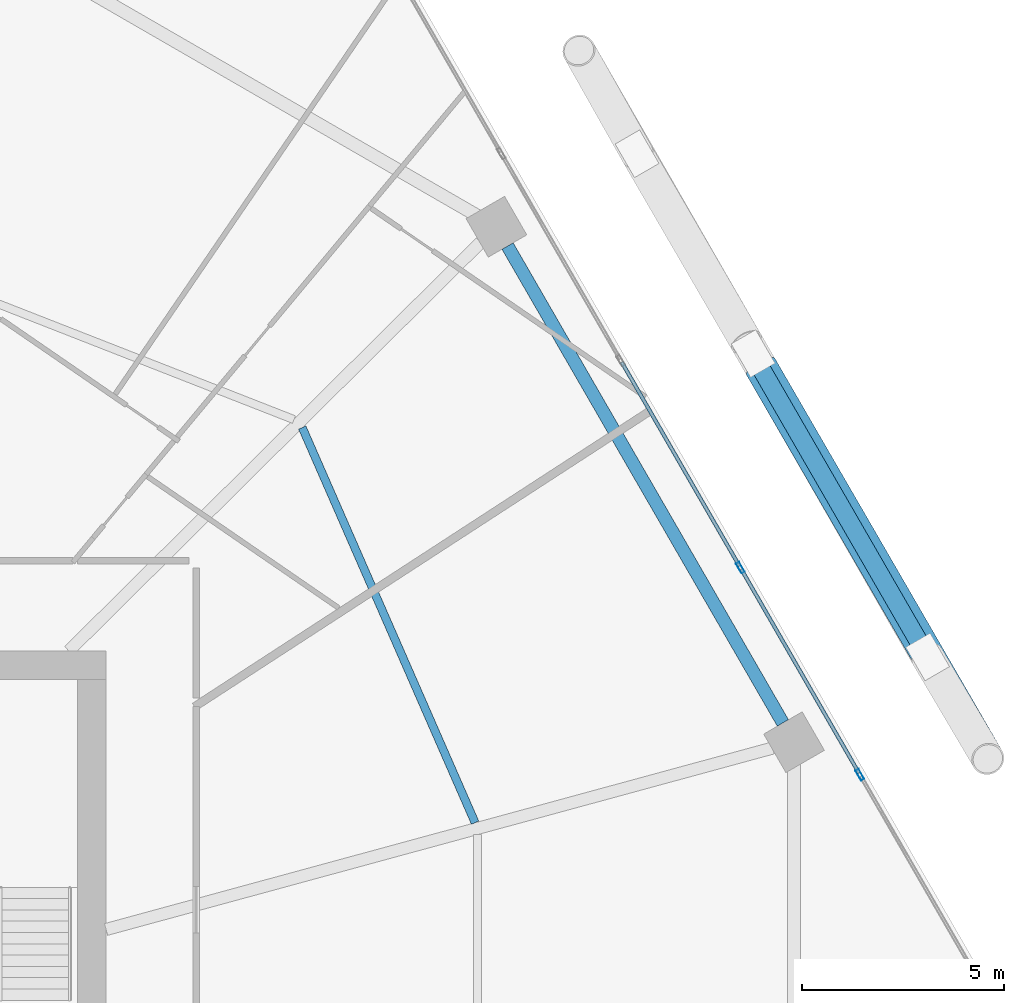
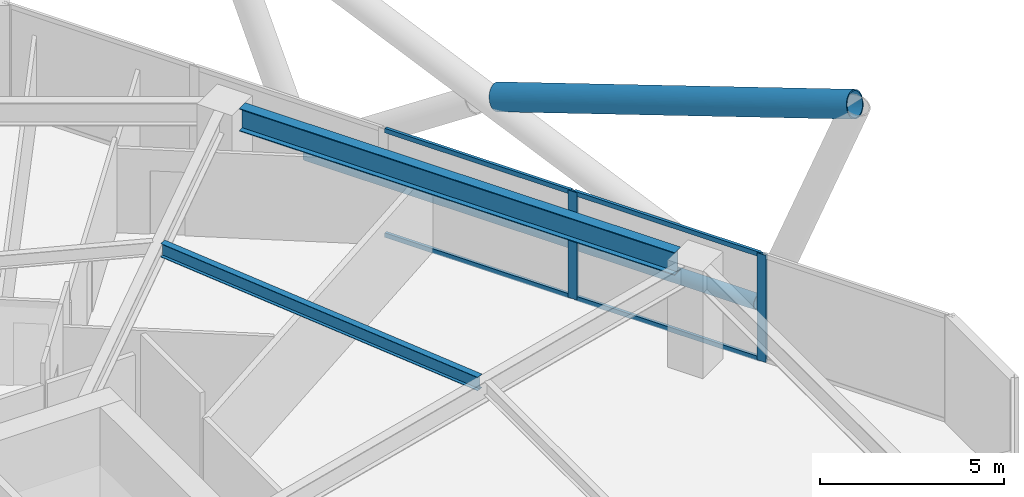
# One storey, part 20 of 35: 8 members, 2 beams, 1 element without a shape of its own.
"""IFC4 building model written with IfcOpenShell, lengths in metres."""

from ifc_helpers import new_model, si_unit, direction, frame, origin, origin_2d, place, context, subcontext, project, spatial, hollow_rectangle, hollow_circle, i_section, extrude, material, material_profile, profile_set, type_object, element, aggregate, save


model = new_model("IFC4")

# Units and contexts
model_context = context("Model", 3, precision=1e-05, world=origin(), true_north=direction((0.0, 1.0)))
body_context = subcontext(model_context, "Body", "Model", "MODEL_VIEW")
ifc_project = project(units=[si_unit("LENGTHUNIT", "METRE"), si_unit("AREAUNIT", "SQUARE_METRE"), si_unit("VOLUMEUNIT", "CUBIC_METRE"), si_unit("PLANEANGLEUNIT", "RADIAN"), si_unit("MASSUNIT", "GRAM", prefix="KILO")], contexts=[model_context])

# Site, building, storey
site_placement = place(None, origin())
site = spatial("IfcSite", under=ifc_project, at=site_placement, CompositionType="ELEMENT")
building_placement = place(site_placement, origin())
building = spatial("IfcBuilding", under=site, at=building_placement, Name="Zuhravey Tower", CompositionType="ELEMENT")
storey_placement = place(building_placement, frame((0.0, 0.0, 115.199951171875)))
storey = spatial("IfcBuildingStorey", under=building, at=storey_placement, Name="L28", CompositionType="ELEMENT", Elevation=115.199951171875)

# Curtain wall, members
ifc_material_1 = material(Name="Thermally broken anodised aluminium", Category="aluminium")
curtain_wall_type = type_object("IfcCurtainWallType", Name="Zone 1-2 Residential Curtain Wall CW3", PredefinedType="NOTDEFINED", material=ifc_material_1)
curtain_wall_placement = place(storey_placement, origin())
curtain_wall = element("IfcCurtainWall", 1, at=curtain_wall_placement, inside=storey, type_object=curtain_wall_type, Name="L28 CW3 CW-L28-F1-1", PredefinedType="NOTDEFINED")
ifc_material_2 = material(Name="Anodised aluminium", Category="aluminium")
ifc_material_profile_1 = material_profile(ifc_material_2, hollow_rectangle(XDim=0.090087890625, YDim=0.284912109375, WallThickness=0.0048828125, at=origin_2d()), Name="ALU-RHS-90x285x5")
ifc_profile_set_1 = profile_set([ifc_material_profile_1], Name="Anodised aluminium")
member_type_1 = type_object("IfcMemberType", Name="Curtain-Wall Mullion 90x180", PredefinedType="MULLION", material=ifc_profile_set_1)
member_1_placement = place(storey_placement, frame((62.55859375, 43.916015625, 0.0), z_axis=(0.0, 0.0, 1.0), x_axis=(0.86602552265, 0.499999794119, 0.0)))
member_1 = element("IfcMember", 2, at=member_1_placement, type_object=member_type_1, Name="CW3 mullion 4", PredefinedType="MULLION", context=body_context, shape_type="SweptSolid", body=[
    extrude(hollow_rectangle(XDim=0.090087890625, YDim=0.284912109375, WallThickness=0.0048828125, at=origin_2d()), origin(), (0.0, 0.0, 1.0), 3.550048828125),
])
member_2_placement = place(storey_placement, frame((65.5185546875, 38.789306640625, 0.0), z_axis=(0.0, 0.0, 1.0), x_axis=(0.86602552265, 0.499999794119, 0.0)))
member_2 = element("IfcMember", 3, at=member_2_placement, type_object=member_type_1, Name="CW3 mullion 5", PredefinedType="MULLION", context=body_context, shape_type="SweptSolid", body=[
    extrude(hollow_rectangle(XDim=0.090087890625, YDim=0.284912109375, WallThickness=0.0048828125, at=origin_2d()), origin(), (0.0, 0.0, 1.0), 3.550048828125),
])
ifc_material_profile_2 = material_profile(ifc_material_2, hollow_rectangle(XDim=0.090087890625, YDim=0.14990234375, WallThickness=0.0048828125, at=origin_2d()), Name="ALU-RHS-90x150x5")
ifc_profile_set_2 = profile_set([ifc_material_profile_2], Name="Anodised aluminium")
member_type_2 = type_object("IfcMemberType", Name="Curtain-Wall Transom 90x150", PredefinedType="USERDEFINED", material=ifc_profile_set_2)
member_3_placement = place(storey_placement, frame((59.621337890625, 49.003662109375, 0.045166015625), z_axis=(0.499981042766, -0.866036348472, 0.0), x_axis=(0.866036348472, 0.499981042766, 0.0)))
member_3 = element("IfcMember", 4, at=member_3_placement, type_object=member_type_2, Name="CW3 transom 3.1", ObjectType="TRANSOM", PredefinedType="USERDEFINED", context=body_context, shape_type="SweptSolid", body=[
    extrude(hollow_rectangle(XDim=0.090087890625, YDim=0.14990234375, WallThickness=0.0048828125, at=origin_2d()), origin(), (0.0, 0.0, 1.0), 5.829833984375),
])
member_4_placement = place(storey_placement, frame((59.621337890625, 49.003662109375, 3.505126953125), z_axis=(0.499981042766, -0.866036348472, 0.0), x_axis=(0.866036348472, 0.499981042766, 0.0)))
member_4 = element("IfcMember", 5, at=member_4_placement, type_object=member_type_2, Name="CW3 transom 3.2", ObjectType="TRANSOM", PredefinedType="USERDEFINED", context=body_context, shape_type="SweptSolid", body=[
    extrude(hollow_rectangle(XDim=0.090087890625, YDim=0.14990234375, WallThickness=0.0048828125, at=origin_2d()), origin(), (0.0, 0.0, 1.0), 5.829833984375),
])
member_5_placement = place(storey_placement, frame((62.581298828125, 43.876953125, 0.045166015625), z_axis=(0.499981042766, -0.866036348472, 0.0), x_axis=(0.866036348472, 0.499981042766, 0.0)))
member_5 = element("IfcMember", 6, at=member_5_placement, type_object=member_type_2, Name="CW3 transom 4.1", ObjectType="TRANSOM", PredefinedType="USERDEFINED", context=body_context, shape_type="SweptSolid", body=[
    extrude(hollow_rectangle(XDim=0.090087890625, YDim=0.14990234375, WallThickness=0.0048828125, at=origin_2d()), origin(), (0.0, 0.0, 1.0), 5.829833984375),
])
member_6_placement = place(storey_placement, frame((62.581298828125, 43.876953125, 3.505126953125), z_axis=(0.499981042766, -0.866036348472, 0.0), x_axis=(0.866036348472, 0.499981042766, 0.0)))
member_6 = element("IfcMember", 7, at=member_6_placement, type_object=member_type_2, Name="CW3 transom 4.2", ObjectType="TRANSOM", PredefinedType="USERDEFINED", context=body_context, shape_type="SweptSolid", body=[
    extrude(hollow_rectangle(XDim=0.090087890625, YDim=0.14990234375, WallThickness=0.0048828125, at=origin_2d()), origin(), (0.0, 0.0, 1.0), 5.829833984375),
])
aggregate(curtain_wall, [member_1, member_2, member_3, member_4, member_5, member_6])

# Members
ifc_material_3 = material(Name="Steel SM355", Category="steel")
ifc_material_profile_3 = material_profile(ifc_material_3, hollow_circle(Radius=0.228515625, WallThickness=0.02197265625, at=origin_2d()), Name="CHS-457.2x22")
ifc_profile_set_3 = profile_set([ifc_material_profile_3], Name="Steel SM355")
member_type_3 = type_object("IfcMemberType", Name="Exoskeleton Ring Tie CHS457x22", PredefinedType="CHORD", material=ifc_profile_set_3)
member_7_placement = place(storey_placement, frame((67.125732421875, 41.825439453125, -0.4638671875), z_axis=(-0.499995593262, 0.866027948001, 0.0), x_axis=(-0.866027948001, -0.499995593262, 0.0)))
element("IfcMember", 8, at=member_7_placement, inside=storey, type_object=member_type_3, Name="L28 Exoskeleton Face 1 Tie EXR1", PredefinedType="CHORD", context=body_context, shape_type="SweptSolid", body=[
    extrude(hollow_circle(Radius=0.228515625, WallThickness=0.02197265625, at=origin_2d()), origin(), (0.0, 0.0, 1.0), 14.107666015625),
])
ifc_material_4 = material(Name="Steel SM460", Category="steel")
ifc_material_profile_4 = material_profile(ifc_material_4, hollow_circle(Radius=0.406494140625, WallThickness=0.035888671875, at=origin_2d()), Name="CHS-812.8x36")
ifc_profile_set_4 = profile_set([ifc_material_profile_4], Name="Steel SM460")
member_type_4 = type_object("IfcMemberType", Name="Exoskeleton Zone 1 Diagrid CHS813x36", PredefinedType="BRACE", material=ifc_profile_set_4)
member_8_placement = place(storey_placement, frame((63.06494140625, 48.889892578125, 3.45947265625), z_axis=(0.476261854823, -0.822432224657, 0.311094650366), x_axis=(0.865372952922, 0.501128379112, 0.0)))
element("IfcMember", 9, at=member_8_placement, inside=storey, type_object=member_type_4, Name="L28 Face 1 Split Diagrid Brace 3B", PredefinedType="BRACE", context=body_context, shape_type="SweptSolid", body=[
    extrude(hollow_circle(Radius=0.406494140625, WallThickness=0.035888671875, at=origin_2d()), origin(), (0.0, 0.0, 1.0), 11.762939453125),
])

# Beams
ifc_material_profile_5 = material_profile(ifc_material_3, i_section(OverallWidth=0.320068359375, OverallDepth=0.75, WebThickness=0.013916015625, FlangeThickness=0.02490234375, at=origin_2d()), Name="H-750x320x14x25")
ifc_profile_set_5 = profile_set([ifc_material_profile_5], Name="Steel SM355")
beam_type_1 = type_object("IfcBeamType", Name="Perimeter Ring Beam H750x320", PredefinedType="BEAM", material=ifc_profile_set_5)
beam_1_placement = place(storey_placement, frame((63.612548828125, 40.070556640625, 3.175048828125), z_axis=(-0.500008177929, 0.866020682204, 0.0), x_axis=(-0.866020682204, -0.500008177929, 0.0)))
element("IfcBeam", 10, at=beam_1_placement, inside=storey, type_object=beam_type_1, Name="L28 PB1 BM-L28-PB-01", PredefinedType="BEAM", context=body_context, shape_type="SweptSolid", body=[
    extrude(i_section(OverallWidth=0.320068359375, OverallDepth=0.75, WebThickness=0.013916015625, FlangeThickness=0.02490234375, at=origin_2d()), origin(), (0.0, 0.0, 1.0), 13.634033203125),
])
ifc_material_profile_6 = material_profile(ifc_material_3, i_section(OverallWidth=0.199951171875, OverallDepth=0.449951171875, WebThickness=0.009033203125, FlangeThickness=0.013916015625, at=origin_2d()), Name="H-450x200x9x14")
ifc_profile_set_6 = profile_set([ifc_material_profile_6], Name="Steel SM355")
beam_type_2 = type_object("IfcBeamType", Name="Secondary Floor Joist H450x200", PredefinedType="JOIST", material=ifc_profile_set_6)
beam_2_placement = place(storey_placement, frame((55.99072265625, 37.599609375, 3.324951171875), z_axis=(-0.400786454617, 0.916171500209, 0.0), x_axis=(-0.916171500209, -0.400786454617, 0.0)))
element("IfcBeam", 11, at=beam_2_placement, inside=storey, type_object=beam_type_2, Name="L28 SJ1 BM-L28-SJ-01-1", PredefinedType="JOIST", context=body_context, shape_type="SweptSolid", body=[
    extrude(i_section(OverallWidth=0.199951171875, OverallDepth=0.449951171875, WebThickness=0.009033203125, FlangeThickness=0.013916015625, at=origin_2d()), origin(), (0.0, 0.0, 1.0), 10.6796875),
])

save(model, "model.ifc")
